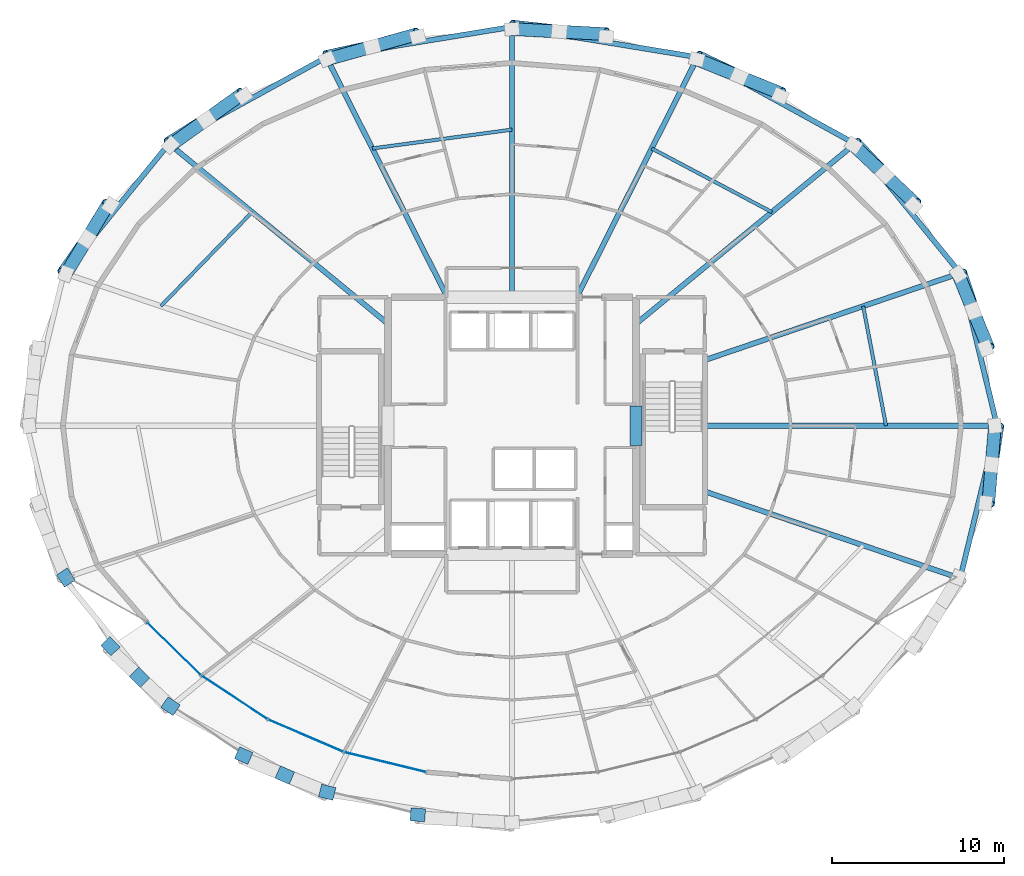
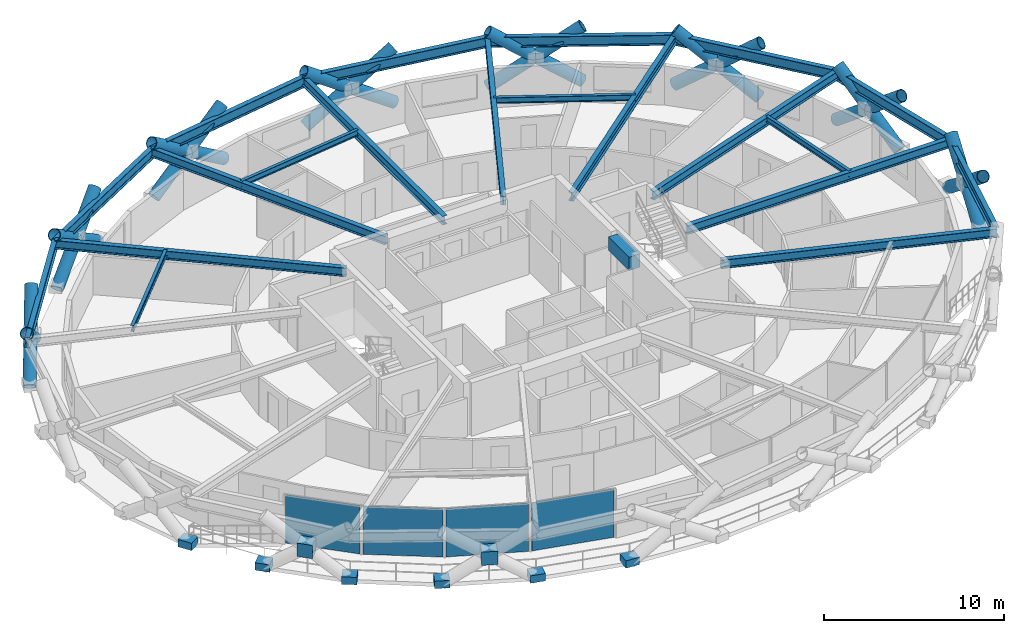
# One storey, part 10 of 18: 24 members, 21 beams, 12 plates, 1 element without a shape of its own.
"""IFC4 building model written with IfcOpenShell, lengths in metres."""

from ifc_helpers import new_model, si_unit, direction, frame, origin, origin_2d, place, context, subcontext, project, spatial, rectangle, hollow_circle, i_section, extrude, material, layer, layer_set, material_profile, profile_set, type_object, element, aggregate, save


model = new_model("IFC4")

# Units and contexts
model_context = context("Model", 3, precision=1e-05, world=origin(), true_north=direction((0.0, 1.0)))
body_context = subcontext(model_context, "Body", "Model", "MODEL_VIEW")
ifc_project = project(units=[si_unit("LENGTHUNIT", "METRE"), si_unit("AREAUNIT", "SQUARE_METRE"), si_unit("VOLUMEUNIT", "CUBIC_METRE"), si_unit("PLANEANGLEUNIT", "RADIAN"), si_unit("MASSUNIT", "GRAM", prefix="KILO")], contexts=[model_context])

# Site, building, storey
site_placement = place(None, origin())
site = spatial("IfcSite", under=ifc_project, at=site_placement, CompositionType="ELEMENT")
building_placement = place(site_placement, origin())
building = spatial("IfcBuilding", under=site, at=building_placement, Name="Veldorina Hangang Commons", CompositionType="ELEMENT")
storey_placement = place(building_placement, frame((0.0, 0.0, 41.199951171875)))
storey = spatial("IfcBuildingStorey", under=building, at=storey_placement, Name="L09", CompositionType="ELEMENT", Elevation=41.199951171875)

# Beams
ifc_material_1 = material(Name="Concrete C70/85", Category="concrete")
ifc_material_profile_1 = material_profile(ifc_material_1, rectangle(XDim=0.699951171875, YDim=0.89990234375, at=origin_2d()), Name="RC-CB-700x900")
ifc_profile_set_1 = profile_set([ifc_material_profile_1], Name="Concrete C70/85")
beam_type_1 = type_object("IfcBeamType", Name="BM-CB900", PredefinedType="LINTEL", material=ifc_profile_set_1)
beam_1_placement = place(storey_placement, frame((39.199951171875, 22.85009765625, 2.89013671875), z_axis=(0.0, 1.0, 0.0), x_axis=(-1.0, 0.0, 0.0)))
element("IfcBeam", 1, at=beam_1_placement, inside=storey, type_object=beam_type_1, Name="L09 E core coupling lintel beam", PredefinedType="LINTEL", context=body_context, shape_type="SweptSolid", body=[
    extrude(rectangle(XDim=0.699951171875, YDim=0.89990234375, at=origin_2d()), origin(), (0.0, 0.0, 1.0), 2.2998046875),
])
ifc_material_2 = material(Name="Steel SM460-TMC", Category="steel")
ifc_material_profile_2 = material_profile(ifc_material_2, i_section(OverallWidth=0.300048828125, OverallDepth=0.587890625, WebThickness=0.011962890625, FlangeThickness=0.02001953125, FilletRadius=0.01806640625, at=origin_2d()), Name="H-588x300x12x20")
ifc_profile_set_2 = profile_set([ifc_material_profile_2], Name="Steel SM460-TMC")
beam_type_2 = type_object("IfcBeamType", Name="BM-FG588", PredefinedType="BEAM", material=ifc_profile_set_2)
beam_2_placement = place(storey_placement, frame((43.179931640625, 24.0, 3.046142578125), z_axis=(1.0, 0.0, 0.0), x_axis=(0.0, 1.0, 0.0)))
element("IfcBeam", 2, at=beam_2_placement, inside=storey, type_object=beam_type_2, Name="L09 radial floor girder 01", PredefinedType="BEAM", context=body_context, shape_type="SweptSolid", body=[
    extrude(i_section(OverallWidth=0.300048828125, OverallDepth=0.587890625, WebThickness=0.011962890625, FlangeThickness=0.02001953125, FilletRadius=0.01806640625, at=origin_2d()), origin(), (0.0, 0.0, 1.0), 16.944580078125),
])
beam_3_placement = place(storey_placement, frame((43.179931640625, 27.8076171875, 3.046142578125), z_axis=(0.946607237404, 0.322389109764, 0.0), x_axis=(-0.322389109764, 0.946607237404, 0.0)))
element("IfcBeam", 3, at=beam_3_placement, inside=storey, type_object=beam_type_2, Name="L09 radial floor girder 02", PredefinedType="BEAM", context=body_context, shape_type="SweptSolid", body=[
    extrude(i_section(OverallWidth=0.300048828125, OverallDepth=0.587890625, WebThickness=0.011962890625, FlangeThickness=0.02001953125, FilletRadius=0.01806640625, at=origin_2d()), origin(), (0.0, 0.0, 1.0), 15.638671875),
])
beam_4_placement = place(storey_placement, frame((39.199951171875, 29.919921875, 3.046142578125), z_axis=(0.772422569241, 0.635108946975, 0.0), x_axis=(-0.635108946975, 0.772422569241, 0.0)))
element("IfcBeam", 4, at=beam_4_placement, inside=storey, type_object=beam_type_2, Name="L09 radial floor girder 03", PredefinedType="BEAM", context=body_context, shape_type="SweptSolid", body=[
    extrude(i_section(OverallWidth=0.300048828125, OverallDepth=0.587890625, WebThickness=0.011962890625, FlangeThickness=0.02001953125, FilletRadius=0.01806640625, at=origin_2d()), origin(), (0.0, 0.0, 1.0), 16.425048828125),
])
beam_5_placement = place(storey_placement, frame((35.753173828125, 31.449951171875, 3.046142578125), z_axis=(0.449900541545, 0.89307866547, 0.0), x_axis=(-0.89307866547, 0.449900541545, 0.0)))
element("IfcBeam", 5, at=beam_5_placement, inside=storey, type_object=beam_type_2, Name="L09 radial floor girder 04", PredefinedType="BEAM", context=body_context, shape_type="SweptSolid", body=[
    extrude(i_section(OverallWidth=0.300048828125, OverallDepth=0.587890625, WebThickness=0.011962890625, FlangeThickness=0.02001953125, FilletRadius=0.01806640625, at=origin_2d()), origin(), (0.0, 0.0, 1.0), 15.580078125),
])
beam_6_placement = place(storey_placement, frame((32.0, 31.449951171875, 3.046142578125), z_axis=(0.0, 1.0, 0.0), x_axis=(-1.0, 0.0, 0.0)))
element("IfcBeam", 6, at=beam_6_placement, inside=storey, type_object=beam_type_2, Name="L09 radial floor girder 05", PredefinedType="BEAM", context=body_context, shape_type="SweptSolid", body=[
    extrude(i_section(OverallWidth=0.300048828125, OverallDepth=0.587890625, WebThickness=0.011962890625, FlangeThickness=0.02001953125, FilletRadius=0.01806640625, at=origin_2d()), origin(), (0.0, 0.0, 1.0), 15.674560546875),
])
beam_7_placement = place(storey_placement, frame((28.246826171875, 31.449951171875, 3.046142578125), z_axis=(-0.449900541545, 0.89307866547, 0.0), x_axis=(-0.89307866547, -0.449900541545, 0.0)))
element("IfcBeam", 7, at=beam_7_placement, inside=storey, type_object=beam_type_2, Name="L09 radial floor girder 06", PredefinedType="BEAM", context=body_context, shape_type="SweptSolid", body=[
    extrude(i_section(OverallWidth=0.300048828125, OverallDepth=0.587890625, WebThickness=0.011962890625, FlangeThickness=0.02001953125, FilletRadius=0.01806640625, at=origin_2d()), origin(), (0.0, 0.0, 1.0), 15.580078125),
])
beam_8_placement = place(storey_placement, frame((24.800048828125, 29.919921875, 3.046142578125), z_axis=(-0.772422569241, 0.635108946975, 0.0), x_axis=(-0.635108946975, -0.772422569241, 0.0)))
element("IfcBeam", 8, at=beam_8_placement, inside=storey, type_object=beam_type_2, Name="L09 radial floor girder 07", PredefinedType="BEAM", context=body_context, shape_type="SweptSolid", body=[
    extrude(i_section(OverallWidth=0.300048828125, OverallDepth=0.587890625, WebThickness=0.011962890625, FlangeThickness=0.02001953125, FilletRadius=0.01806640625, at=origin_2d()), origin(), (0.0, 0.0, 1.0), 16.425048828125),
])
beam_9_placement = place(storey_placement, frame((43.179931640625, 20.1923828125, 3.046142578125), z_axis=(0.946607237404, -0.322389109764, 0.0), x_axis=(0.322389109764, 0.946607237404, 0.0)))
element("IfcBeam", 9, at=beam_9_placement, inside=storey, type_object=beam_type_2, Name="L09 radial floor girder 16", PredefinedType="BEAM", context=body_context, shape_type="SweptSolid", body=[
    extrude(i_section(OverallWidth=0.300048828125, OverallDepth=0.587890625, WebThickness=0.011962890625, FlangeThickness=0.02001953125, FilletRadius=0.01806640625, at=origin_2d()), origin(), (0.0, 0.0, 1.0), 15.638671875),
])
ifc_material_3 = material(Name="Steel SM355-TMC", Category="steel")
ifc_material_profile_3 = material_profile(ifc_material_3, i_section(OverallWidth=0.199951171875, OverallDepth=0.39990234375, WebThickness=0.008056640625, FlangeThickness=0.012939453125, FilletRadius=0.012939453125, at=origin_2d()), Name="H-400x200x8x13")
ifc_profile_set_3 = profile_set([ifc_material_profile_3], Name="Steel SM355-TMC")
beam_type_3 = type_object("IfcBeamType", Name="BM-JST400", PredefinedType="JOIST", material=ifc_profile_set_3)
beam_10_placement = place(storey_placement, frame((53.685546875, 24.0, 3.14013671875), z_axis=(-0.18802897362, 0.98216348185, 0.0), x_axis=(-0.98216348185, -0.18802897362, 0.0)))
element("IfcBeam", 10, at=beam_10_placement, inside=storey, type_object=beam_type_3, Name="L09 secondary floor joist 01", PredefinedType="JOIST", context=body_context, shape_type="SweptSolid", body=[
    extrude(i_section(OverallWidth=0.199951171875, OverallDepth=0.39990234375, WebThickness=0.008056640625, FlangeThickness=0.012939453125, FilletRadius=0.012939453125, at=origin_2d()), origin(), (0.0, 0.0, 1.0), 7.0595703125),
])
beam_11_placement = place(storey_placement, frame((47.06591796875, 36.387451171875, 3.14013671875), z_axis=(-0.883727645271, 0.468001548056, 0.0), x_axis=(-0.468001548056, -0.883727645271, 0.0)))
element("IfcBeam", 11, at=beam_11_placement, inside=storey, type_object=beam_type_3, Name="L09 secondary floor joist 03", PredefinedType="JOIST", context=body_context, shape_type="SweptSolid", body=[
    extrude(i_section(OverallWidth=0.199951171875, OverallDepth=0.39990234375, WebThickness=0.008056640625, FlangeThickness=0.012939453125, FilletRadius=0.012939453125, at=origin_2d()), origin(), (0.0, 0.0, 1.0), 7.88330078125),
])
beam_12_placement = place(storey_placement, frame((32.0, 41.168212890625, 3.14013671875), z_axis=(-0.991043790513, -0.133537280509, 0.0), x_axis=(0.133537280509, -0.991043790513, 0.0)))
element("IfcBeam", 12, at=beam_12_placement, inside=storey, type_object=beam_type_3, Name="L09 secondary floor joist 05", PredefinedType="JOIST", context=body_context, shape_type="SweptSolid", body=[
    extrude(i_section(OverallWidth=0.199951171875, OverallDepth=0.39990234375, WebThickness=0.008056640625, FlangeThickness=0.012939453125, FilletRadius=0.012939453125, at=origin_2d()), origin(), (0.0, 0.0, 1.0), 8.17236328125),
])
beam_13_placement = place(storey_placement, frame((16.93408203125, 36.387451171875, 3.14013671875), z_axis=(-0.696393147463, -0.717660493665, 0.0), x_axis=(0.717660493665, -0.696393147463, 0.0)))
element("IfcBeam", 13, at=beam_13_placement, inside=storey, type_object=beam_type_3, Name="L09 secondary floor joist 07", PredefinedType="JOIST", context=body_context, shape_type="SweptSolid", body=[
    extrude(i_section(OverallWidth=0.199951171875, OverallDepth=0.39990234375, WebThickness=0.008056640625, FlangeThickness=0.012939453125, FilletRadius=0.012939453125, at=origin_2d()), origin(), (0.0, 0.0, 1.0), 7.599609375),
])
ifc_material_profile_4 = material_profile(ifc_material_2, i_section(OverallWidth=0.300048828125, OverallDepth=0.699951171875, WebThickness=0.012939453125, FlangeThickness=0.02392578125, FilletRadius=0.02197265625, at=origin_2d()), Name="H-700x300x13x24")
ifc_profile_set_4 = profile_set([ifc_material_profile_4], Name="Steel SM460-TMC")
beam_type_4 = type_object("IfcBeamType", Name="BM-RB700", PredefinedType="BEAM", material=ifc_profile_set_4)
beam_14_placement = place(storey_placement, frame((60.12451171875, 24.0, 2.989990234375), z_axis=(-0.235140284528, 0.971961442956, 0.0), x_axis=(-0.971961442956, -0.235140284528, 0.0)))
element("IfcBeam", 14, at=beam_14_placement, inside=storey, type_object=beam_type_4, Name="L09 perimeter hoop ring beam 00", PredefinedType="BEAM", context=body_context, shape_type="SweptSolid", body=[
    extrude(i_section(OverallWidth=0.300048828125, OverallDepth=0.699951171875, WebThickness=0.012939453125, FlangeThickness=0.02392578125, FilletRadius=0.02197265625, at=origin_2d()), origin(), (0.0, 0.0, 1.0), 9.104736328125),
])
beam_15_placement = place(storey_placement, frame((57.983642578125, 32.849365234375, 2.989990234375), z_axis=(-0.630663930224, 0.77605605926, 0.0), x_axis=(-0.77605605926, -0.630663930224, 0.0)))
element("IfcBeam", 15, at=beam_15_placement, inside=storey, type_object=beam_type_4, Name="L09 perimeter hoop ring beam 02", PredefinedType="BEAM", context=body_context, shape_type="SweptSolid", body=[
    extrude(i_section(OverallWidth=0.300048828125, OverallDepth=0.699951171875, WebThickness=0.012939453125, FlangeThickness=0.02392578125, FilletRadius=0.02197265625, at=origin_2d()), origin(), (0.0, 0.0, 1.0), 9.6669921875),
])
beam_16_placement = place(storey_placement, frame((51.886962890625, 40.3515625, 2.989990234375), z_axis=(-0.876445056025, 0.481501883453, 0.0), x_axis=(-0.481501883453, -0.876445056025, 0.0)))
element("IfcBeam", 16, at=beam_16_placement, inside=storey, type_object=beam_type_4, Name="L09 perimeter hoop ring beam 04", PredefinedType="BEAM", context=body_context, shape_type="SweptSolid", body=[
    extrude(i_section(OverallWidth=0.300048828125, OverallDepth=0.699951171875, WebThickness=0.012939453125, FlangeThickness=0.02392578125, FilletRadius=0.02197265625, at=origin_2d()), origin(), (0.0, 0.0, 1.0), 10.41064453125),
])
for number, where, z_axis, x_axis, name in (
    (17, (42.7626953125, 45.3642578125, 2.989990234375), (-0.986887942247, 0.161406906442, 0.0), (-0.161406906442, -0.986887942247, 0.0), "L09 perimeter hoop ring beam 06"),
    (18, (32.0, 47.12451171875, 2.989990234375), (-0.986887942247, -0.161406906442, 0.0), (0.161406906442, -0.986887942247, 0.0), "L09 perimeter hoop ring beam 08"),
):
    element("IfcBeam", number, at=place(storey_placement, frame(where, z_axis=z_axis, x_axis=x_axis)), inside=storey, type_object=beam_type_4, Name=name, PredefinedType="BEAM", context=body_context, shape_type="SweptSolid", body=[
        extrude(i_section(OverallWidth=0.300048828125, OverallDepth=0.699951171875, WebThickness=0.012939453125, FlangeThickness=0.02392578125, FilletRadius=0.02197265625, at=origin_2d()), origin(), (0.0, 0.0, 1.0), 10.90576171875),
    ])
beam_17_placement = place(storey_placement, frame((21.2373046875, 45.3642578125, 2.989990234375), z_axis=(-0.876445056025, -0.481501883453, 0.0), x_axis=(0.481501883453, -0.876445056025, 0.0)))
element("IfcBeam", 19, at=beam_17_placement, inside=storey, type_object=beam_type_4, Name="L09 perimeter hoop ring beam 10", PredefinedType="BEAM", context=body_context, shape_type="SweptSolid", body=[
    extrude(i_section(OverallWidth=0.300048828125, OverallDepth=0.699951171875, WebThickness=0.012939453125, FlangeThickness=0.02392578125, FilletRadius=0.02197265625, at=origin_2d()), origin(), (0.0, 0.0, 1.0), 10.41064453125),
])
beam_18_placement = place(storey_placement, frame((12.113037109375, 40.3515625, 2.989990234375), z_axis=(-0.630663930224, -0.77605605926, 0.0), x_axis=(0.77605605926, -0.630663930224, 0.0)))
element("IfcBeam", 20, at=beam_18_placement, inside=storey, type_object=beam_type_4, Name="L09 perimeter hoop ring beam 12", PredefinedType="BEAM", context=body_context, shape_type="SweptSolid", body=[
    extrude(i_section(OverallWidth=0.300048828125, OverallDepth=0.699951171875, WebThickness=0.012939453125, FlangeThickness=0.02392578125, FilletRadius=0.02197265625, at=origin_2d()), origin(), (0.0, 0.0, 1.0), 9.6669921875),
])
beam_19_placement = place(storey_placement, frame((57.983642578125, 15.150634765625, 2.989990234375), z_axis=(0.235140284528, 0.971961442956, 0.0), x_axis=(-0.971961442956, 0.235140284528, 0.0)))
element("IfcBeam", 21, at=beam_19_placement, inside=storey, type_object=beam_type_4, Name="L09 perimeter hoop ring beam 30", PredefinedType="BEAM", context=body_context, shape_type="SweptSolid", body=[
    extrude(i_section(OverallWidth=0.300048828125, OverallDepth=0.699951171875, WebThickness=0.012939453125, FlangeThickness=0.02392578125, FilletRadius=0.02197265625, at=origin_2d()), origin(), (0.0, 0.0, 1.0), 9.104736328125),
])

# Members
ifc_material_profile_5 = material_profile(ifc_material_2, hollow_circle(Radius=0.375, WallThickness=0.035888671875, at=origin_2d()), Name="CHS-750x36")
ifc_profile_set_5 = profile_set([ifc_material_profile_5], Name="Steel SM460-TMC")
member_type = type_object("IfcMemberType", Name="DG-CHS750", PredefinedType="BRACE", material=ifc_profile_set_5)
member_1_placement = place(storey_placement, frame((59.45751953125, 28.486083984375, 0.0), z_axis=(-0.247938072328, 0.747947910006, 0.615711487799), x_axis=(-0.949206591829, -0.314653533316, 0.0)))
element("IfcMember", 22, at=member_1_placement, inside=storey, type_object=member_type, Name="L09 continuous perimeter diagrid brace 01", PredefinedType="BRACE", context=body_context, shape_type="SweptSolid", body=[
    extrude(hollow_circle(Radius=0.375, WallThickness=0.035888671875, at=origin_2d()), origin(), (0.0, 0.0, 1.0), 5.84716796875),
])
member_2_placement = place(storey_placement, frame((57.864501953125, 32.800048828125, 0.0), z_axis=(0.298032835248, -0.730706976606, 0.61420171235), x_axis=(0.92594289633, 0.377663544357, 0.0)))
element("IfcMember", 23, at=member_2_placement, inside=storey, type_object=member_type, Name="L09 split perimeter diagrid lower brace 02", PredefinedType="BRACE", context=body_context, shape_type="SweptSolid", body=[
    extrude(hollow_circle(Radius=0.375, WallThickness=0.035888671875, at=origin_2d()), origin(), (0.0, 0.0, 1.0), 2.921142578125),
])
member_3_placement = place(storey_placement, frame((58.735107421875, 30.66552734375, 1.794189453125), z_axis=(0.297522509252, -0.730893978911, 0.614226625994), x_axis=(0.926202622203, 0.377026129897, 0.0)))
element("IfcMember", 24, at=member_3_placement, inside=storey, type_object=member_type, Name="L09 split perimeter diagrid upper brace 02", PredefinedType="BRACE", context=body_context, shape_type="SweptSolid", body=[
    extrude(hollow_circle(Radius=0.375, WallThickness=0.035888671875, at=origin_2d()), origin(), (0.0, 0.0, 1.0), 2.940185546875),
])
member_4_placement = place(storey_placement, frame((55.27734375, 36.775634765625, 0.0), z_axis=(-0.552459903942, 0.588941218285, 0.589861251432), x_axis=(-0.729334801286, -0.684156961255, 0.0)))
element("IfcMember", 25, at=member_4_placement, inside=storey, type_object=member_type, Name="L09 continuous perimeter diagrid brace 03", PredefinedType="BRACE", context=body_context, shape_type="SweptSolid", body=[
    extrude(hollow_circle(Radius=0.375, WallThickness=0.035888671875, at=origin_2d()), origin(), (0.0, 0.0, 1.0), 6.103271484375),
])
member_5_placement = place(storey_placement, frame((51.795654296875, 40.26025390625, 0.0), z_axis=(0.58964513909, -0.554236057266, 0.587487023494), x_axis=(0.684890081969, 0.72864639958, 0.0)))
element("IfcMember", 26, at=member_5_placement, inside=storey, type_object=member_type, Name="L09 split perimeter diagrid lower brace 04", PredefinedType="BRACE", context=body_context, shape_type="SweptSolid", body=[
    extrude(hollow_circle(Radius=0.375, WallThickness=0.035888671875, at=origin_2d()), origin(), (0.0, 0.0, 1.0), 3.054443359375),
])
member_6_placement = place(storey_placement, frame((53.5966796875, 38.5673828125, 1.79443359375), z_axis=(0.588894487826, -0.55497327559, 0.587543994599), x_axis=(0.685836145655, 0.727755990229, 0.0)))
element("IfcMember", 27, at=member_6_placement, inside=storey, type_object=member_type, Name="L09 split perimeter diagrid upper brace 04", PredefinedType="BRACE", context=body_context, shape_type="SweptSolid", body=[
    extrude(hollow_circle(Radius=0.375, WallThickness=0.035888671875, at=origin_2d()), origin(), (0.0, 0.0, 1.0), 3.0732421875),
])
member_7_placement = place(storey_placement, frame((47.553466796875, 43.1201171875, 0.0), z_axis=(-0.746969161489, 0.354449874811, 0.562496540461), x_axis=(-0.428701052072, -0.903446405689, 0.0)))
element("IfcMember", 28, at=member_7_placement, inside=storey, type_object=member_type, Name="L09 continuous perimeter diagrid brace 05", PredefinedType="BRACE", context=body_context, shape_type="SweptSolid", body=[
    extrude(hollow_circle(Radius=0.375, WallThickness=0.035888671875, at=origin_2d()), origin(), (0.0, 0.0, 1.0), 6.400146484375),
])
member_8_placement = place(storey_placement, frame((42.71337890625, 45.2451171875, 0.0), z_axis=(0.767494932251, -0.310598227403, 0.560785404682), x_axis=(0.375136216122, 0.926969697107, 0.0)))
element("IfcMember", 29, at=member_8_placement, inside=storey, type_object=member_type, Name="L09 split perimeter diagrid lower brace 06", PredefinedType="BRACE", context=body_context, shape_type="SweptSolid", body=[
    extrude(hollow_circle(Radius=0.375, WallThickness=0.035888671875, at=origin_2d()), origin(), (0.0, 0.0, 1.0), 3.20068359375),
])
member_9_placement = place(storey_placement, frame((45.169921875, 44.2509765625, 1.794921875), z_axis=(0.76724636078, -0.311191362029, 0.560796717241), x_axis=(0.375856074156, 0.926678051709, 0.0)))
element("IfcMember", 30, at=member_9_placement, inside=storey, type_object=member_type, Name="L09 split perimeter diagrid upper brace 06", PredefinedType="BRACE", context=body_context, shape_type="SweptSolid", body=[
    extrude(hollow_circle(Radius=0.375, WallThickness=0.035888671875, at=origin_2d()), origin(), (0.0, 0.0, 1.0), 3.218994140625),
])
member_10_placement = place(storey_placement, frame((37.461669921875, 46.553466796875, 0.0), z_axis=(-0.831472556504, 0.090948699019, 0.54807090958), x_axis=(-0.108734138382, -0.994070866262, 0.0)))
element("IfcMember", 31, at=member_10_placement, inside=storey, type_object=member_type, Name="L09 continuous perimeter diagrid brace 07", PredefinedType="BRACE", context=body_context, shape_type="SweptSolid", body=[
    extrude(hollow_circle(Radius=0.375, WallThickness=0.035888671875, at=origin_2d()), origin(), (0.0, 0.0, 1.0), 6.568603515625),
])
member_11_placement = place(storey_placement, frame((32.0, 46.995361328125, 0.0), z_axis=(0.835496245465, -0.043949962984, 0.547735725116), x_axis=(0.052530794379, 0.998619304661, 0.0)))
element("IfcMember", 32, at=member_11_placement, inside=storey, type_object=member_type, Name="L09 split perimeter diagrid lower brace 08", PredefinedType="BRACE", context=body_context, shape_type="SweptSolid", body=[
    extrude(hollow_circle(Radius=0.375, WallThickness=0.035888671875, at=origin_2d()), origin(), (0.0, 0.0, 1.0), 3.27734375),
])
member_12_placement = place(storey_placement, frame((34.73828125, 46.851318359375, 1.795166015625), z_axis=(0.835535775879, -0.044076938261, 0.547665217756), x_axis=(0.052679654267, 0.998611462996, 0.0)))
element("IfcMember", 33, at=member_12_placement, inside=storey, type_object=member_type, Name="L09 split perimeter diagrid upper brace 08", PredefinedType="BRACE", context=body_context, shape_type="SweptSolid", body=[
    extrude(hollow_circle(Radius=0.375, WallThickness=0.035888671875, at=origin_2d()), origin(), (0.0, 0.0, 1.0), 3.295654296875),
])
member_13_placement = place(storey_placement, frame((26.538330078125, 46.553466796875, 0.0), z_axis=(-0.814440458314, -0.178619813672, 0.552070377783), x_axis=(0.214224449231, -0.976784462075, 0.0)))
element("IfcMember", 34, at=member_13_placement, inside=storey, type_object=member_type, Name="L09 continuous perimeter diagrid brace 09", PredefinedType="BRACE", context=body_context, shape_type="SweptSolid", body=[
    extrude(hollow_circle(Radius=0.375, WallThickness=0.035888671875, at=origin_2d()), origin(), (0.0, 0.0, 1.0), 6.52099609375),
])
member_14_placement = place(storey_placement, frame((21.28662109375, 45.2451171875, 0.0), z_axis=(0.802308340317, 0.224200942812, 0.553204541106), x_axis=(-0.269134103741, 0.963102712178, 0.0)))
element("IfcMember", 35, at=member_14_placement, inside=storey, type_object=member_type, Name="L09 split perimeter diagrid lower brace 10", PredefinedType="BRACE", context=body_context, shape_type="SweptSolid", body=[
    extrude(hollow_circle(Radius=0.375, WallThickness=0.035888671875, at=origin_2d()), origin(), (0.0, 0.0, 1.0), 3.2451171875),
])
member_15_placement = place(storey_placement, frame((23.89013671875, 45.97265625, 1.795166015625), z_axis=(0.802229742165, 0.224741037533, 0.553099364341), x_axis=(-0.269759826929, 0.962927637871, 0.0)))
element("IfcMember", 36, at=member_15_placement, inside=storey, type_object=member_type, Name="L09 split perimeter diagrid upper brace 10", PredefinedType="BRACE", context=body_context, shape_type="SweptSolid", body=[
    extrude(hollow_circle(Radius=0.375, WallThickness=0.035888671875, at=origin_2d()), origin(), (0.0, 0.0, 1.0), 3.26318359375),
])
member_16_placement = place(storey_placement, frame((16.446533203125, 43.1201171875, 0.0), z_axis=(-0.6927808652, -0.437758536161, 0.573081265468), x_axis=(0.534178540661, -0.845371685531, 0.0)))
element("IfcMember", 37, at=member_16_placement, inside=storey, type_object=member_type, Name="L09 continuous perimeter diagrid brace 11", PredefinedType="BRACE", context=body_context, shape_type="SweptSolid", body=[
    extrude(hollow_circle(Radius=0.375, WallThickness=0.035888671875, at=origin_2d()), origin(), (0.0, 0.0, 1.0), 6.281982421875),
])
member_17_placement = place(storey_placement, frame((12.204345703125, 40.26025390625, 0.0), z_axis=(0.664327387264, 0.47721385411, 0.575270423346), x_axis=(-0.583417203787, 0.812172621014, 0.0)))
element("IfcMember", 38, at=member_17_placement, inside=storey, type_object=member_type, Name="L09 split perimeter diagrid lower brace 12", PredefinedType="BRACE", context=body_context, shape_type="SweptSolid", body=[
    extrude(hollow_circle(Radius=0.375, WallThickness=0.035888671875, at=origin_2d()), origin(), (0.0, 0.0, 1.0), 3.11962890625),
])
member_18_placement = place(storey_placement, frame((14.27685546875, 41.7490234375, 1.794677734375), z_axis=(0.663815625638, 0.477987698564, 0.575218719428), x_axis=(-0.584337290958, 0.811510893578, 0.0)))
element("IfcMember", 39, at=member_18_placement, inside=storey, type_object=member_type, Name="L09 split perimeter diagrid upper brace 12", PredefinedType="BRACE", context=body_context, shape_type="SweptSolid", body=[
    extrude(hollow_circle(Radius=0.375, WallThickness=0.035888671875, at=origin_2d()), origin(), (0.0, 0.0, 1.0), 3.138671875),
])
member_19_placement = place(storey_placement, frame((8.72265625, 36.775634765625, 0.0), z_axis=(-0.456645758044, -0.65495838741, 0.602083185633), x_axis=(0.820304381698, -0.571927199359, 0.0)))
element("IfcMember", 40, at=member_19_placement, inside=storey, type_object=member_type, Name="L09 continuous perimeter diagrid brace 13", PredefinedType="BRACE", context=body_context, shape_type="SweptSolid", body=[
    extrude(hollow_circle(Radius=0.375, WallThickness=0.035888671875, at=origin_2d()), origin(), (0.0, 0.0, 1.0), 5.9794921875),
])
member_20_placement = place(storey_placement, frame((6.135498046875, 32.800048828125, 0.0), z_axis=(0.412943096114, 0.681442429561, 0.604246815934), x_axis=(-0.855226932942, 0.518253695762, 0.0)))
element("IfcMember", 41, at=member_20_placement, inside=storey, type_object=member_type, Name="L09 split perimeter diagrid lower brace 14", PredefinedType="BRACE", context=body_context, shape_type="SweptSolid", body=[
    extrude(hollow_circle(Radius=0.375, WallThickness=0.035888671875, at=origin_2d()), origin(), (0.0, 0.0, 1.0), 2.9697265625),
])
member_21_placement = place(storey_placement, frame((7.36181640625, 34.82373046875, 1.79443359375), z_axis=(0.412139718118, 0.681970736739, 0.604199277542), x_axis=(-0.855851251448, 0.517222036842, 0.0)))
element("IfcMember", 42, at=member_21_placement, inside=storey, type_object=member_type, Name="L09 split perimeter diagrid upper brace 14", PredefinedType="BRACE", context=body_context, shape_type="SweptSolid", body=[
    extrude(hollow_circle(Radius=0.375, WallThickness=0.035888671875, at=origin_2d()), origin(), (0.0, 0.0, 1.0), 2.988525390625),
])
member_22_placement = place(storey_placement, frame((59.45751953125, 19.513916015625, 0.0), z_axis=(0.119675709283, 0.774310266926, 0.621386622917), x_axis=(-0.988265757822, 0.152744204202, 0.0)))
element("IfcMember", 43, at=member_22_placement, inside=storey, type_object=member_type, Name="L09 continuous perimeter diagrid brace 31", PredefinedType="BRACE", context=body_context, shape_type="SweptSolid", body=[
    extrude(hollow_circle(Radius=0.375, WallThickness=0.035888671875, at=origin_2d()), origin(), (0.0, 0.0, 1.0), 5.793701171875),
])
member_23_placement = place(storey_placement, frame((59.995361328125, 24.0, 0.0), z_axis=(-0.066696946588, -0.780218849807, 0.621940562853), x_axis=(0.996366068755, -0.085174274482, 0.0)))
element("IfcMember", 44, at=member_23_placement, inside=storey, type_object=member_type, Name="L09 split perimeter diagrid lower brace 00", PredefinedType="BRACE", context=body_context, shape_type="SweptSolid", body=[
    extrude(hollow_circle(Radius=0.375, WallThickness=0.035888671875, at=origin_2d()), origin(), (0.0, 0.0, 1.0), 2.884521484375),
])
member_24_placement = place(storey_placement, frame((59.802978515625, 21.74951171875, 1.7939453125), z_axis=(-0.066493692245, -0.780271114311, 0.62189675756), x_axis=(0.996388544886, -0.084910939345, 0.0)))
element("IfcMember", 45, at=member_24_placement, inside=storey, type_object=member_type, Name="L09 split perimeter diagrid upper brace 00", PredefinedType="BRACE", context=body_context, shape_type="SweptSolid", body=[
    extrude(hollow_circle(Radius=0.375, WallThickness=0.035888671875, at=origin_2d()), origin(), (0.0, 0.0, 1.0), 2.904296875),
])

# Curtain wall, plates
ifc_material_4 = material(Name="Glass Low-E Triple IGU", Category="glass")
ifc_layer_1 = layer(ifc_material_4, 0.179931640625)
ifc_layer_set_1 = layer_set([ifc_layer_1], Name="Glass Low-E Triple IGU")
curtain_wall_type = type_object("IfcCurtainWallType", Name="CW-SYS-Z1", PredefinedType="NOTDEFINED", material=ifc_layer_set_1)
curtain_wall_placement = place(storey_placement, origin())
curtain_wall = element("IfcCurtainWall", 46, at=curtain_wall_placement, inside=storey, type_object=curtain_wall_type, Name="L09 unitised curtain wall CW-L09-R1", PredefinedType="NOTDEFINED")
ifc_layer_2 = layer(ifc_material_4, 0.0400390625)
ifc_layer_set_2 = layer_set([ifc_layer_2], Name="Glass Low-E Triple IGU")
plate_type_1 = type_object("IfcPlateType", Name="CW-PNL-VIS", PredefinedType="CURTAIN_PANEL", material=ifc_layer_set_2)
plate_1_placement = place(storey_placement, frame((12.402099609375, 11.072998046875, 0.01513671875), z_axis=(0.0, 0.0, 1.0), x_axis=(0.71444825634, -0.699688279888, 0.0)))
plate_1 = element("IfcPlate", 47, at=plate_1_placement, type_object=plate_type_1, Name="CW-L09-R1 facet 1 glazed vision panel", PredefinedType="CURTAIN_PANEL", context=body_context, shape_type="SweptSolid", body=[
    extrude(rectangle(XDim=4.25439453125, YDim=0.0400390625, at=origin_2d()), origin(), (0.0, 0.0, 1.0), 3.27001953125),
])
plate_2_placement = place(storey_placement, frame((15.91650390625, 8.24853515625, 0.01513671875), z_axis=(0.0, 0.0, 1.0), x_axis=(0.834751773535, -0.55062644014, 0.0)))
plate_2 = element("IfcPlate", 48, at=plate_2_placement, type_object=plate_type_1, Name="CW-L09-R1 facet 2 glazed vision panel", PredefinedType="CURTAIN_PANEL", context=body_context, shape_type="SweptSolid", body=[
    extrude(rectangle(XDim=4.444580078125, YDim=0.0400390625, at=origin_2d()), origin(), (0.0, 0.0, 1.0), 3.27001953125),
])
plate_3_placement = place(storey_placement, frame((20.048828125, 6.029296875, 0.01513671875), z_axis=(0.0, 0.0, 1.0), x_axis=(0.918804988749, -0.39471178428, 0.0)))
plate_3 = element("IfcPlate", 49, at=plate_3_placement, type_object=plate_type_1, Name="CW-L09-R1 facet 3 glazed vision panel", PredefinedType="CURTAIN_PANEL", context=body_context, shape_type="SweptSolid", body=[
    extrude(rectangle(XDim=4.613525390625, YDim=0.0400390625, at=origin_2d()), origin(), (0.0, 0.0, 1.0), 3.27001953125),
])
plate_4_placement = place(storey_placement, frame((24.640380859375, 4.50048828125, 0.01513671875), z_axis=(0.0, 0.0, 1.0), x_axis=(0.971540852195, -0.236872059383, 0.0)))
plate_4 = element("IfcPlate", 50, at=plate_4_placement, type_object=plate_type_1, Name="CW-L09-R1 facet 4 glazed vision panel", PredefinedType="CURTAIN_PANEL", context=body_context, shape_type="SweptSolid", body=[
    extrude(rectangle(XDim=4.739013671875, YDim=0.0400390625, at=origin_2d()), origin(), (0.0, 0.0, 1.0), 3.27001953125),
])
aggregate(curtain_wall, [plate_1, plate_2, plate_3, plate_4])

# Plates
ifc_layer_3 = layer(ifc_material_2, 0.035888671875)
ifc_layer_set_3 = layer_set([ifc_layer_3], Name="Steel SM460-TMC")
plate_type_2 = type_object("IfcPlateType", Name="PL-STAR-36", PredefinedType="USERDEFINED", material=ifc_layer_set_3)
for number, where, z_axis, x_axis, name in (
    (51, (6.135498046875, 15.199951171875, -0.08984375), (0.0, 0.0, 1.0), (0.545429221395, -0.838156885343, 0.0), "L09 diagrid star-node gusset plate 18"),
    (52, (8.72265625, 11.224365234375, -0.08984375), (0.0, 0.0, 1.0), (0.706798180347, -0.707415247403, 0.0), "L09 diagrid star-node gusset plate 19"),
):
    element("IfcPlate", number, at=place(storey_placement, frame(where, z_axis=z_axis, x_axis=x_axis)), inside=storey, type_object=plate_type_2, Name=name, ObjectType="GUSSET PLATE", PredefinedType="USERDEFINED", context=body_context, shape_type="SweptSolid", body=[
        extrude(rectangle(XDim=0.85009765625, YDim=0.75, at=origin_2d()), origin(), (0.0, 0.0, 1.0), 0.5),
    ])
plate_5_placement = place(storey_placement, frame((10.4033203125, 9.4326171875, 1.344482421875), z_axis=(0.0, 0.0, 1.0), x_axis=(0.706798180347, -0.707415247403, 0.0)))
element("IfcPlate", 53, at=plate_5_placement, inside=storey, type_object=plate_type_2, Name="L09 diagrid X-crossing star-node gusset plate 19", ObjectType="GUSSET PLATE", PredefinedType="USERDEFINED", context=body_context, shape_type="SweptSolid", body=[
    extrude(rectangle(XDim=0.89990234375, YDim=0.780029296875, at=origin_2d()), origin(), (0.0, 0.0, 1.0), 0.89990234375),
])
for number, where, z_axis, x_axis, name in (
    (54, (12.204345703125, 7.73974609375, -0.08984375), (0.0, 0.0, 1.0), (0.829183940502, -0.558975842781, 0.0), "L09 diagrid star-node gusset plate 20"),
    (55, (16.446533203125, 4.8798828125, -0.08984375), (0.0, 0.0, 1.0), (0.91563452986, -0.402011700985, 0.0), "L09 diagrid star-node gusset plate 21"),
):
    element("IfcPlate", number, at=place(storey_placement, frame(where, z_axis=z_axis, x_axis=x_axis)), inside=storey, type_object=plate_type_2, Name=name, ObjectType="GUSSET PLATE", PredefinedType="USERDEFINED", context=body_context, shape_type="SweptSolid", body=[
        extrude(rectangle(XDim=0.85009765625, YDim=0.75, at=origin_2d()), origin(), (0.0, 0.0, 1.0), 0.5),
    ])
plate_6_placement = place(storey_placement, frame((18.830078125, 3.7490234375, 1.344970703125), z_axis=(0.0, 0.0, 1.0), x_axis=(0.91563452986, -0.402011700985, 0.0)))
element("IfcPlate", 56, at=plate_6_placement, inside=storey, type_object=plate_type_2, Name="L09 diagrid X-crossing star-node gusset plate 21", ObjectType="GUSSET PLATE", PredefinedType="USERDEFINED", context=body_context, shape_type="SweptSolid", body=[
    extrude(rectangle(XDim=0.89990234375, YDim=0.780029296875, at=origin_2d()), origin(), (0.0, 0.0, 1.0), 0.89990234375),
])
for number, where, z_axis, x_axis, name in (
    (57, (21.28662109375, 2.7548828125, -0.08984375), (0.0, 0.0, 1.0), (0.970333715308, -0.241769478919, 0.0), "L09 diagrid star-node gusset plate 22"),
    (58, (26.538330078125, 1.446533203125, -0.08984375), (0.0, 0.0, 1.0), (0.996742382711, -0.080651239963, 0.0), "L09 diagrid star-node gusset plate 23"),
):
    element("IfcPlate", number, at=place(storey_placement, frame(where, z_axis=z_axis, x_axis=x_axis)), inside=storey, type_object=plate_type_2, Name=name, ObjectType="GUSSET PLATE", PredefinedType="USERDEFINED", context=body_context, shape_type="SweptSolid", body=[
        extrude(rectangle(XDim=0.85009765625, YDim=0.75, at=origin_2d()), origin(), (0.0, 0.0, 1.0), 0.5),
    ])

save(model, "model.ifc")
